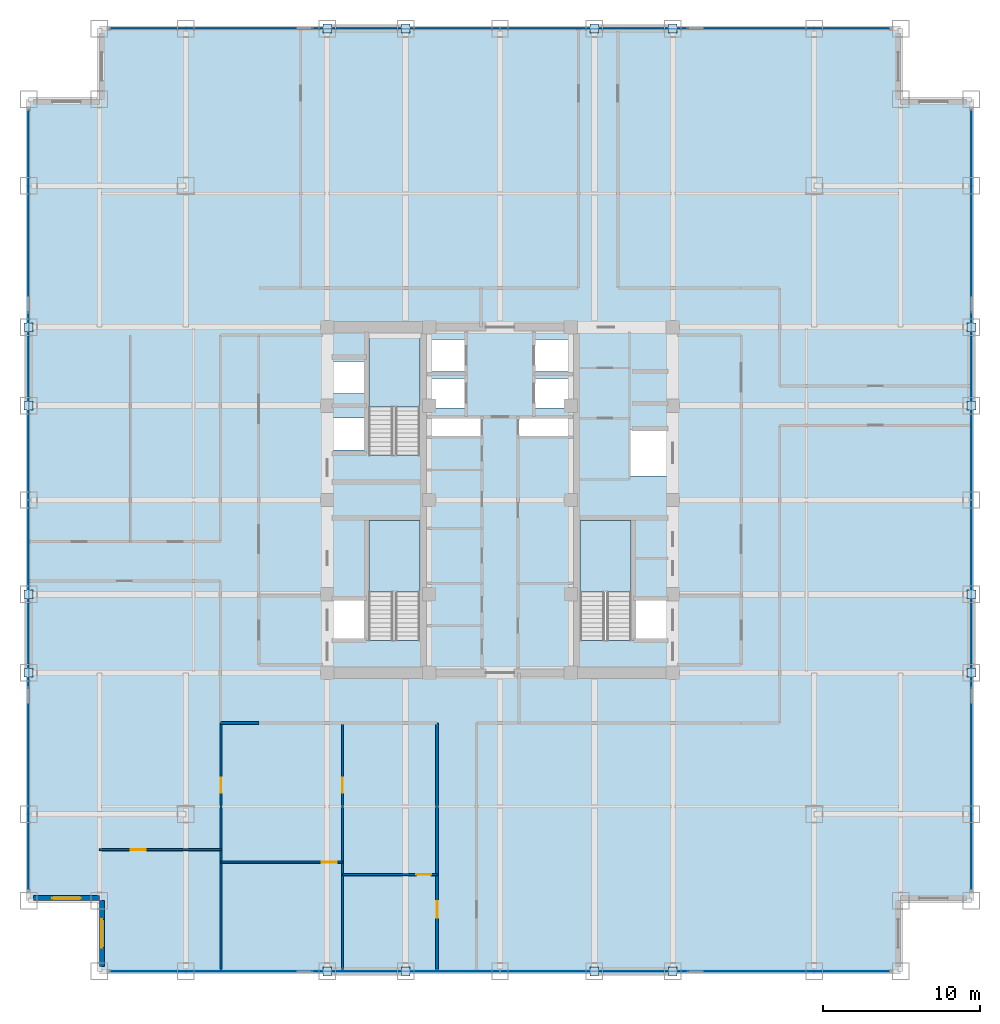
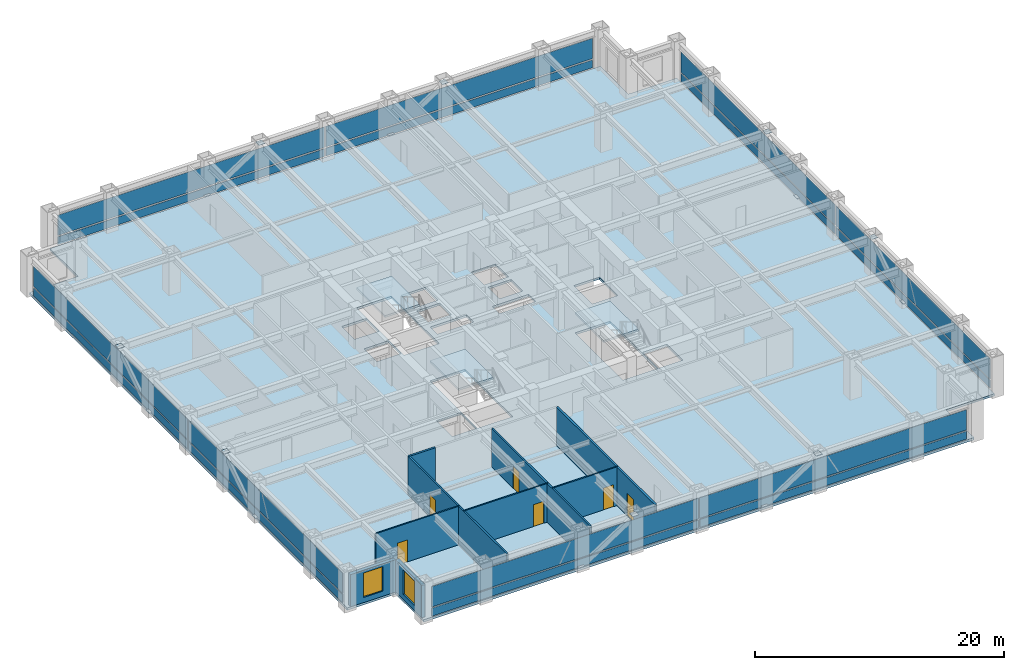
# One storey, part 19 of 24: 32 plates, 9 walls, 6 doors, 4 slabs, 2 windows, 8 openings, 7 elements without a shape of their own.
"""IFC4 building model written with IfcOpenShell, lengths in metres."""

from ifc_helpers import new_model, si_unit, direction, frame, frame_2d, origin, origin_2d, place, context, subcontext, project, spatial, polyline, rectangle, outline, extrude, source, transform, mapped, material, layer, layer_set, type_object, element, fill, aggregate, save


model = new_model("IFC4")

# Units and contexts
model_context = context("Model", 3, precision=1e-05, world=origin(), true_north=direction((0.0, 1.0)))
body_context = subcontext(model_context, "Body", "Model", "MODEL_VIEW")
ifc_project = project(units=[si_unit("LENGTHUNIT", "METRE"), si_unit("AREAUNIT", "SQUARE_METRE"), si_unit("VOLUMEUNIT", "CUBIC_METRE"), si_unit("PLANEANGLEUNIT", "RADIAN"), si_unit("MASSUNIT", "GRAM", prefix="KILO")], contexts=[model_context])

# Site, building, storey
site_placement = place(None, origin())
site = spatial("IfcSite", under=ifc_project, at=site_placement, CompositionType="ELEMENT")
building_placement = place(site_placement, origin())
building = spatial("IfcBuilding", under=site, at=building_placement, Name="Khorayat Bourse Tower", CompositionType="ELEMENT")
storey_placement = place(building_placement, frame((0.0, 0.0, 179.10009765625)))
storey = spatial("IfcBuildingStorey", under=building, at=storey_placement, Name="L41", CompositionType="ELEMENT", Elevation=179.10009765625)

# Stair, slab
ifc_material_1 = material(Name="Concrete C40/50", Category="concrete")
stair_type = type_object("IfcStairType", Name="STR-CORE-1550", PredefinedType="HALF_TURN_STAIR", material=ifc_material_1)
stair_1_placement = place(storey_placement, origin())
stair_1 = element("IfcStair", 1, at=stair_1_placement, inside=storey, type_object=stair_type, Name="L41 Exit Stair ST-1", PredefinedType="HALF_TURN_STAIR")
ifc_layer_1 = layer(ifc_material_1, 0.199951171875)
ifc_layer_set_1 = layer_set([ifc_layer_1], Name="Concrete C40/50")
slab_type_1 = type_object("IfcSlabType", Name="SLB-LANDING-200", PredefinedType="LANDING", material=ifc_layer_set_1)
slab_1_placement = place(storey_placement, frame((0.0, 0.0, 1.7998046875)))
slab_1 = element("IfcSlab", 2, at=slab_1_placement, type_object=slab_type_1, Name="ST-1 landing 1", PredefinedType="LANDING", context=body_context, shape_type="SweptSolid", body=[
    extrude(outline(polyline([(-5.10009765625, -5.8701171875), (-5.10009765625, -1.300048828125), (-8.35009765625, -1.300048828125), (-8.35009765625, -5.8701171875), (-5.10009765625, -5.8701171875)])), origin(), (0.0, 0.0, 1.0), 0.2001953125),
])
aggregate(stair_1, [slab_1])

stair_2_placement = place(storey_placement, origin())
stair_2 = element("IfcStair", 3, at=stair_2_placement, inside=storey, type_object=stair_type, Name="L41 Exit Stair ST-2", PredefinedType="HALF_TURN_STAIR")
slab_2_placement = place(storey_placement, frame((0.0, 0.0, 1.7998046875)))
slab_2 = element("IfcSlab", 4, at=slab_2_placement, type_object=slab_type_1, Name="ST-2 landing 1", PredefinedType="LANDING", context=body_context, shape_type="SweptSolid", body=[
    extrude(outline(polyline([(-5.10009765625, 5.929931640625), (-5.10009765625, 10.5), (-8.35009765625, 10.5), (-8.35009765625, 5.929931640625), (-5.10009765625, 5.929931640625)])), origin(), (0.0, 0.0, 1.0), 0.2001953125),
])
aggregate(stair_2, [slab_2])

stair_3_placement = place(storey_placement, origin())
stair_3 = element("IfcStair", 5, at=stair_3_placement, inside=storey, type_object=stair_type, Name="L41 Exit Stair ST-3", PredefinedType="HALF_TURN_STAIR")
slab_3_placement = place(storey_placement, frame((0.0, 0.0, 1.7998046875)))
slab_3 = element("IfcSlab", 6, at=slab_3_placement, type_object=slab_type_1, Name="ST-3 landing 1", PredefinedType="LANDING", context=body_context, shape_type="SweptSolid", body=[
    extrude(outline(polyline([(8.35009765625, -5.8701171875), (8.35009765625, -1.300048828125), (5.10009765625, -1.300048828125), (5.10009765625, -5.8701171875), (8.35009765625, -5.8701171875)])), origin(), (0.0, 0.0, 1.0), 0.2001953125),
])
aggregate(stair_3, [slab_3])

# Slab
ifc_layer_2 = layer(ifc_material_1, 0.219970703125)
ifc_layer_set_2 = layer_set([ifc_layer_2], Name="Concrete C40/50")
slab_type_2 = type_object("IfcSlabType", Name="SLB-OFFICE-220", PredefinedType="FLOOR", material=ifc_layer_set_2)
slab_4_placement = place(storey_placement, frame((0.0, 0.0, -0.22021484375)))
element("IfcSlab", 7, at=slab_4_placement, inside=storey, type_object=slab_type_2, Name="L41 Main Floor Slab", PredefinedType="FLOOR", context=body_context, shape_type="SweptSolid", body=[
    extrude(outline(polyline([(-25.5, -30.0), (25.5, -30.0), (25.5, -25.5), (30.0, -25.5), (30.0, 25.5), (25.5, 25.5), (25.5, 30.0), (-25.5, 30.0), (-25.5, 25.5), (-30.0, 25.5), (-30.0, -25.5), (-25.5, -25.5), (-25.5, -30.0)]), holes=[polyline([(-8.35009765625, -8.945068359375), (-5.10009765625, -8.945068359375), (-5.10009765625, -1.300048828125), (-8.35009765625, -1.300048828125), (-8.35009765625, -8.945068359375)]), polyline([(-8.35009765625, 2.85498046875), (-5.10009765625, 2.85498046875), (-5.10009765625, 10.5), (-8.35009765625, 10.5), (-8.35009765625, 2.85498046875)]), polyline([(5.10009765625, -8.945068359375), (8.35009765625, -8.945068359375), (8.35009765625, -1.300048828125), (5.10009765625, -1.300048828125), (5.10009765625, -8.945068359375)]), polyline([(-4.3798828125, 8.169921875), (-2.1201171875, 8.169921875), (-2.1201171875, 10.22998046875), (-4.3798828125, 10.22998046875), (-4.3798828125, 8.169921875)]), polyline([(2.1201171875, 8.169921875), (4.3798828125, 8.169921875), (4.3798828125, 10.22998046875), (2.1201171875, 10.22998046875), (2.1201171875, 8.169921875)]), polyline([(-4.3798828125, 5.8701171875), (-2.219970703125, 5.8701171875), (-2.219970703125, 7.72998046875), (-4.3798828125, 7.72998046875), (-4.3798828125, 5.8701171875)]), polyline([(2.219970703125, 5.8701171875), (4.3798828125, 5.8701171875), (4.3798828125, 7.72998046875), (2.219970703125, 7.72998046875), (2.219970703125, 5.8701171875)]), polyline([(-10.679931640625, 3.169921875), (-8.419921875, 3.169921875), (-8.419921875, 5.22998046875), (-10.679931640625, 5.22998046875), (-10.679931640625, 3.169921875)]), polyline([(-10.679931640625, 6.77001953125), (-8.419921875, 6.77001953125), (-8.419921875, 8.830078125), (-10.679931640625, 8.830078125), (-10.679931640625, 6.77001953125)]), polyline([(-10.679931640625, -8.929931640625), (-8.419921875, -8.929931640625), (-8.419921875, -6.3701171875), (-10.679931640625, -6.3701171875), (-10.679931640625, -8.929931640625)]), polyline([(8.419921875, -8.929931640625), (10.679931640625, -8.929931640625), (10.679931640625, -6.3701171875), (8.419921875, -6.3701171875), (8.419921875, -8.929931640625)]), polyline([(8.320068359375, 1.52001953125), (10.679931640625, 1.52001953125), (10.679931640625, 4.47998046875), (8.320068359375, 4.47998046875), (8.320068359375, 1.52001953125)]), polyline([(-4.56005859375, 4.080078125), (-1.18994140625, 4.080078125), (-1.18994140625, 5.219970703125), (-4.56005859375, 5.219970703125), (-4.56005859375, 4.080078125)]), polyline([(1.18994140625, 4.080078125), (4.56005859375, 4.080078125), (4.56005859375, 5.219970703125), (1.18994140625, 5.219970703125), (1.18994140625, 4.080078125)])]), origin(), (0.0, 0.0, 1.0), 0.22021484375),
])

# Plates
ifc_material_2 = material(Name="Steel EN 10025-2 S355J2", Category="steel")
ifc_layer_3 = layer(ifc_material_2, 0.02490234375)
ifc_layer_set_3 = layer_set([ifc_layer_3], Name="Steel EN 10025-2 S355J2")
plate_type_1 = type_object("IfcPlateType", Name="PLT-ENDCAP-25", PredefinedType="SHEET", material=ifc_layer_set_3)
shared_shape_1 = source(origin(), body_context, "Body", "SweptSolid", [
    extrude(rectangle(XDim=0.56005859375, YDim=0.56005859375, at=origin_2d()), origin(), (0.0, 0.0, 1.0), 0.02490234375),
])
for number, where, z_axis, x_axis, name in (
    (8, (-11.0, -30.0, 0.237548828125), (0.0, 0.0, 1.0), (1.0, 0.0, 0.0), "L41 Perimeter Brace End Plate 001"),
    (9, (-6.0, -30.0, 3.517333984375), (0.0, 0.0, 1.0), (1.0, 0.0, 0.0), "L41 Perimeter Brace End Plate 002"),
    (10, (6.0, -30.0, 0.237548828125), (0.0, 0.0, 1.0), (1.0, 0.0, 0.0), "L41 Perimeter Brace End Plate 003"),
    (11, (11.0, -30.0, 3.517333984375), (0.0, 0.0, 1.0), (1.0, 0.0, 0.0), "L41 Perimeter Brace End Plate 004"),
    (12, (-11.0, 30.0, 0.237548828125), (0.0, 0.0, 1.0), (1.0, 0.0, 0.0), "L41 Perimeter Brace End Plate 005"),
    (13, (-6.0, 30.0, 3.517333984375), (0.0, 0.0, 1.0), (1.0, 0.0, 0.0), "L41 Perimeter Brace End Plate 006"),
    (14, (6.0, 30.0, 0.237548828125), (0.0, 0.0, 1.0), (1.0, 0.0, 0.0), "L41 Perimeter Brace End Plate 007"),
    (15, (11.0, 30.0, 3.517333984375), (0.0, 0.0, 1.0), (1.0, 0.0, 0.0), "L41 Perimeter Brace End Plate 008"),
    (16, (-30.0, -11.0, 0.237548828125), (0.0, 0.0, 1.0), (1.0, 0.0, 0.0), "L41 Perimeter Brace End Plate 009"),
    (17, (-30.0, -6.0, 3.517333984375), (0.0, 0.0, 1.0), (1.0, 0.0, 0.0), "L41 Perimeter Brace End Plate 010"),
    (18, (-30.0, 6.0, 0.237548828125), (0.0, 0.0, 1.0), (1.0, 0.0, 0.0), "L41 Perimeter Brace End Plate 011"),
    (19, (-30.0, 11.0, 3.517333984375), (0.0, 0.0, 1.0), (1.0, 0.0, 0.0), "L41 Perimeter Brace End Plate 012"),
    (20, (30.0, -11.0, 0.237548828125), (0.0, 0.0, 1.0), (1.0, 0.0, 0.0), "L41 Perimeter Brace End Plate 013"),
    (21, (30.0, -6.0, 3.517333984375), (0.0, 0.0, 1.0), (1.0, 0.0, 0.0), "L41 Perimeter Brace End Plate 014"),
    (22, (30.0, 6.0, 0.237548828125), (0.0, 0.0, 1.0), (1.0, 0.0, 0.0), "L41 Perimeter Brace End Plate 015"),
    (23, (30.0, 11.0, 3.517333984375), (0.0, 0.0, 1.0), (1.0, 0.0, 0.0), "L41 Perimeter Brace End Plate 016"),
):
    element("IfcPlate", number, at=place(storey_placement, frame(where, z_axis=z_axis, x_axis=x_axis)), inside=storey, type_object=plate_type_1, Name=name, PredefinedType="SHEET", context=body_context, shape_type="MappedRepresentation", body=[
        mapped(shared_shape_1, transform((0.0, 0.0, 0.0), scale=1.0)),
    ])

# Curtain wall, plates
ifc_material_3 = material(Name="Aluminium EN AW-6063 T6", Category="aluminium")
curtain_wall_type = type_object("IfcCurtainWallType", Name="CW-SYS-03", PredefinedType="NOTDEFINED", material=ifc_material_3)
curtain_wall_1_placement = place(storey_placement, origin())
curtain_wall_1 = element("IfcCurtainWall", 24, at=curtain_wall_1_placement, inside=storey, type_object=curtain_wall_type, Name="L41 Curtain Wall CW-L41-S1", PredefinedType="NOTDEFINED")
ifc_material_4 = material(Name="Honed desert limestone insulated spandrel", Category="masonry")
ifc_layer_4 = layer(ifc_material_4, 0.06494140625)
ifc_layer_set_4 = layer_set([ifc_layer_4], Name="Honed desert limestone insulated spandrel")
plate_type_2 = type_object("IfcPlateType", Name="CWP-SPAND-03", PredefinedType="CURTAIN_PANEL", material=ifc_layer_set_4)
shared_shape_2 = source(origin(), body_context, "Body", "SweptSolid", [
    extrude(rectangle(XDim=24.719970703125, YDim=0.06494140625, at=origin_2d()), origin(), (0.0, 0.0, 1.0), 0.77001953125),
])
plate_1_placement = place(storey_placement, frame((-12.419921875, -30.0, 0.119873046875), z_axis=(0.0, 0.0, 1.0), x_axis=(1.0, 0.0, 0.0)))
plate_1 = element("IfcPlate", 25, at=plate_1_placement, type_object=plate_type_2, Name="CW-L41-S1 Spandrel Panel 1-1", PredefinedType="CURTAIN_PANEL", context=body_context, shape_type="MappedRepresentation", body=[
    mapped(shared_shape_2, transform((0.0, 0.0, 0.0), scale=1.0)),
])
plate_2_placement = place(storey_placement, frame((12.419921875, -30.0, 0.119873046875), z_axis=(0.0, 0.0, 1.0), x_axis=(1.0, 0.0, 0.0)))
plate_2 = element("IfcPlate", 26, at=plate_2_placement, type_object=plate_type_2, Name="CW-L41-S1 Spandrel Panel 2-1", PredefinedType="CURTAIN_PANEL", context=body_context, shape_type="MappedRepresentation", body=[
    mapped(shared_shape_2, transform((0.0, 0.0, 0.0), scale=1.0)),
])

curtain_wall_2_placement = place(storey_placement, origin())
curtain_wall_2 = element("IfcCurtainWall", 27, at=curtain_wall_2_placement, inside=storey, type_object=curtain_wall_type, Name="L41 Curtain Wall CW-L41-N1", PredefinedType="NOTDEFINED")
plate_3_placement = place(storey_placement, frame((-12.419921875, 30.0, 0.119873046875), z_axis=(0.0, 0.0, 1.0), x_axis=(1.0, 0.0, 0.0)))
plate_3 = element("IfcPlate", 28, at=plate_3_placement, type_object=plate_type_2, Name="CW-L41-N1 Spandrel Panel 1-1", PredefinedType="CURTAIN_PANEL", context=body_context, shape_type="MappedRepresentation", body=[
    mapped(shared_shape_2, transform((0.0, 0.0, 0.0), scale=1.0)),
])
plate_4_placement = place(storey_placement, frame((12.419921875, 30.0, 0.119873046875), z_axis=(0.0, 0.0, 1.0), x_axis=(1.0, 0.0, 0.0)))
plate_4 = element("IfcPlate", 29, at=plate_4_placement, type_object=plate_type_2, Name="CW-L41-N1 Spandrel Panel 2-1", PredefinedType="CURTAIN_PANEL", context=body_context, shape_type="MappedRepresentation", body=[
    mapped(shared_shape_2, transform((0.0, 0.0, 0.0), scale=1.0)),
])

curtain_wall_3_placement = place(storey_placement, origin())
curtain_wall_3 = element("IfcCurtainWall", 30, at=curtain_wall_3_placement, inside=storey, type_object=curtain_wall_type, Name="L41 Curtain Wall CW-L41-W1", PredefinedType="NOTDEFINED")
plate_5_placement = place(storey_placement, frame((-30.0, -12.419921875, 0.119873046875), z_axis=(0.0, 0.0, 1.0), x_axis=(0.0, 1.0, 0.0)))
plate_5 = element("IfcPlate", 31, at=plate_5_placement, type_object=plate_type_2, Name="CW-L41-W1 Spandrel Panel 1-1", PredefinedType="CURTAIN_PANEL", context=body_context, shape_type="MappedRepresentation", body=[
    mapped(shared_shape_2, transform((0.0, 0.0, 0.0), scale=1.0)),
])
plate_6_placement = place(storey_placement, frame((-30.0, 12.419921875, 0.119873046875), z_axis=(0.0, 0.0, 1.0), x_axis=(0.0, 1.0, 0.0)))
plate_6 = element("IfcPlate", 32, at=plate_6_placement, type_object=plate_type_2, Name="CW-L41-W1 Spandrel Panel 2-1", PredefinedType="CURTAIN_PANEL", context=body_context, shape_type="MappedRepresentation", body=[
    mapped(shared_shape_2, transform((0.0, 0.0, 0.0), scale=1.0)),
])

curtain_wall_4_placement = place(storey_placement, origin())
curtain_wall_4 = element("IfcCurtainWall", 33, at=curtain_wall_4_placement, inside=storey, type_object=curtain_wall_type, Name="L41 Curtain Wall CW-L41-E1", PredefinedType="NOTDEFINED")
plate_7_placement = place(storey_placement, frame((30.0, -12.419921875, 0.119873046875), z_axis=(0.0, 0.0, 1.0), x_axis=(0.0, 1.0, 0.0)))
plate_7 = element("IfcPlate", 34, at=plate_7_placement, type_object=plate_type_2, Name="CW-L41-E1 Spandrel Panel 1-1", PredefinedType="CURTAIN_PANEL", context=body_context, shape_type="MappedRepresentation", body=[
    mapped(shared_shape_2, transform((0.0, 0.0, 0.0), scale=1.0)),
])
plate_8_placement = place(storey_placement, frame((30.0, 12.419921875, 0.119873046875), z_axis=(0.0, 0.0, 1.0), x_axis=(0.0, 1.0, 0.0)))
plate_8 = element("IfcPlate", 35, at=plate_8_placement, type_object=plate_type_2, Name="CW-L41-E1 Spandrel Panel 2-1", PredefinedType="CURTAIN_PANEL", context=body_context, shape_type="MappedRepresentation", body=[
    mapped(shared_shape_2, transform((0.0, 0.0, 0.0), scale=1.0)),
])

# Plate
ifc_material_5 = material(Name="Low-E solar-control laminated double glazing", Category="glass")
ifc_layer_5 = layer(ifc_material_5, 0.035888671875)
ifc_layer_set_5 = layer_set([ifc_layer_5], Name="Low-E solar-control laminated double glazing")
plate_type_3 = type_object("IfcPlateType", Name="CWP-VIS-01", PredefinedType="CURTAIN_PANEL", material=ifc_layer_set_5)
shared_shape_3 = source(origin(), body_context, "Body", "SweptSolid", [
    extrude(rectangle(XDim=24.719970703125, YDim=0.035888671875, at=origin_2d()), origin(), (0.0, 0.0, 1.0), 2.0),
])
plate_9_placement = place(storey_placement, frame((-12.419921875, -30.0, 1.010009765625), z_axis=(0.0, 0.0, 1.0), x_axis=(1.0, 0.0, 0.0)))
plate_9 = element("IfcPlate", 36, at=plate_9_placement, type_object=plate_type_3, Name="CW-L41-S1 Vision Panel 1-2", PredefinedType="CURTAIN_PANEL", context=body_context, shape_type="MappedRepresentation", body=[
    mapped(shared_shape_3, transform((0.0, 0.0, 0.0), scale=1.0)),
])

plate_10_placement = place(storey_placement, frame((12.419921875, -30.0, 1.010009765625), z_axis=(0.0, 0.0, 1.0), x_axis=(1.0, 0.0, 0.0)))
plate_10 = element("IfcPlate", 37, at=plate_10_placement, type_object=plate_type_3, Name="CW-L41-S1 Vision Panel 2-2", PredefinedType="CURTAIN_PANEL", context=body_context, shape_type="MappedRepresentation", body=[
    mapped(shared_shape_3, transform((0.0, 0.0, 0.0), scale=1.0)),
])

aggregate(curtain_wall_1, [plate_1, plate_9, plate_2, plate_10])

plate_11_placement = place(storey_placement, frame((-12.419921875, 30.0, 1.010009765625), z_axis=(0.0, 0.0, 1.0), x_axis=(1.0, 0.0, 0.0)))
plate_11 = element("IfcPlate", 38, at=plate_11_placement, type_object=plate_type_3, Name="CW-L41-N1 Vision Panel 1-2", PredefinedType="CURTAIN_PANEL", context=body_context, shape_type="MappedRepresentation", body=[
    mapped(shared_shape_3, transform((0.0, 0.0, 0.0), scale=1.0)),
])

plate_12_placement = place(storey_placement, frame((12.419921875, 30.0, 1.010009765625), z_axis=(0.0, 0.0, 1.0), x_axis=(1.0, 0.0, 0.0)))
plate_12 = element("IfcPlate", 39, at=plate_12_placement, type_object=plate_type_3, Name="CW-L41-N1 Vision Panel 2-2", PredefinedType="CURTAIN_PANEL", context=body_context, shape_type="MappedRepresentation", body=[
    mapped(shared_shape_3, transform((0.0, 0.0, 0.0), scale=1.0)),
])

aggregate(curtain_wall_2, [plate_3, plate_11, plate_4, plate_12])

plate_13_placement = place(storey_placement, frame((-30.0, -12.419921875, 1.010009765625), z_axis=(0.0, 0.0, 1.0), x_axis=(0.0, 1.0, 0.0)))
plate_13 = element("IfcPlate", 40, at=plate_13_placement, type_object=plate_type_3, Name="CW-L41-W1 Vision Panel 1-2", PredefinedType="CURTAIN_PANEL", context=body_context, shape_type="MappedRepresentation", body=[
    mapped(shared_shape_3, transform((0.0, 0.0, 0.0), scale=1.0)),
])

plate_14_placement = place(storey_placement, frame((-30.0, 12.419921875, 1.010009765625), z_axis=(0.0, 0.0, 1.0), x_axis=(0.0, 1.0, 0.0)))
plate_14 = element("IfcPlate", 41, at=plate_14_placement, type_object=plate_type_3, Name="CW-L41-W1 Vision Panel 2-2", PredefinedType="CURTAIN_PANEL", context=body_context, shape_type="MappedRepresentation", body=[
    mapped(shared_shape_3, transform((0.0, 0.0, 0.0), scale=1.0)),
])

aggregate(curtain_wall_3, [plate_5, plate_13, plate_6, plate_14])

plate_15_placement = place(storey_placement, frame((30.0, -12.419921875, 1.010009765625), z_axis=(0.0, 0.0, 1.0), x_axis=(0.0, 1.0, 0.0)))
plate_15 = element("IfcPlate", 42, at=plate_15_placement, type_object=plate_type_3, Name="CW-L41-E1 Vision Panel 1-2", PredefinedType="CURTAIN_PANEL", context=body_context, shape_type="MappedRepresentation", body=[
    mapped(shared_shape_3, transform((0.0, 0.0, 0.0), scale=1.0)),
])

plate_16_placement = place(storey_placement, frame((30.0, 12.419921875, 1.010009765625), z_axis=(0.0, 0.0, 1.0), x_axis=(0.0, 1.0, 0.0)))
plate_16 = element("IfcPlate", 43, at=plate_16_placement, type_object=plate_type_3, Name="CW-L41-E1 Vision Panel 2-2", PredefinedType="CURTAIN_PANEL", context=body_context, shape_type="MappedRepresentation", body=[
    mapped(shared_shape_3, transform((0.0, 0.0, 0.0), scale=1.0)),
])

aggregate(curtain_wall_4, [plate_7, plate_15, plate_8, plate_16])

# Wall, opening, window
ifc_material_6 = material(Name="Precast concrete C45/55", Category="concrete")
ifc_layer_6 = layer(ifc_material_6, 0.320068359375)
ifc_layer_set_6 = layer_set([ifc_layer_6], Name="Precast concrete C45/55")
wall_type_1 = type_object("IfcWallType", Name="WAL-EXT-STONE-320", PredefinedType="STANDARD", material=ifc_layer_set_6)
shared_shape_4 = source(origin(), body_context, "Body", "SweptSolid", [
    extrude(rectangle(XDim=4.179931640625, YDim=0.320068359375, at=frame_2d((2.08984375, 0.0))), origin(), (0.0, 0.0, 1.0), 3.163818359375),
])
wall_1_placement = place(storey_placement, frame((-25.5, -25.340087890625, 0.0), z_axis=(0.0, 0.0, 1.0), x_axis=(-1.0, 0.0, 0.0)))
wall_1 = element("IfcWall", 44, at=wall_1_placement, inside=storey, type_object=wall_type_1, Name="L41 Re-Entrant Notch Limestone Wall SW-H", PredefinedType="STANDARD", context=body_context, shape_type="MappedRepresentation", body=[
    mapped(shared_shape_4, transform((0.0, 0.0, 0.0), scale=1.0)),
])
shared_shape_5 = source(origin(), body_context, "Body", "SweptSolid", [
    extrude(rectangle(XDim=1.800048828125, YDim=2.39990234375, at=frame_2d((0.89990234375, 1.199951171875))), frame((0.0, 0.169921875, 0.0), z_axis=(0.0, -1.0, 0.0), x_axis=(1.0, 0.0, 0.0)), (0.0, 0.0, 1.0), 0.340087890625),
])
opening_1_placement = place(wall_1_placement, frame((1.18994140625, 0.0, 0.5)))
opening_1 = element("IfcOpeningElement", 45, at=opening_1_placement, cuts=wall_1, Name="Opening WN-04", PredefinedType="OPENING", context=body_context, shape_type="MappedRepresentation", body=[
    mapped(shared_shape_5, transform((0.0, 0.0, 0.0), scale=1.0)),
])
ifc_material_7 = material(Name="Low-E acoustic laminated double glazing", Category="glass")
window_type = type_object("IfcWindowType", Name="WIN-NOTCH-1800x2400", PartitioningType="SINGLE_PANEL", PredefinedType="WINDOW", material=ifc_material_7)
shared_shape_6 = source(origin(), body_context, "Body", "SweptSolid", [
    extrude(rectangle(XDim=1.800048828125, YDim=2.39990234375, at=frame_2d((0.89990234375, 1.199951171875))), frame((0.0, 0.030029296875, 0.0), z_axis=(0.0, -1.0, 0.0), x_axis=(1.0, 0.0, 0.0)), (0.0, 0.0, 1.0), 0.06005859375),
])
window_1_placement = place(opening_1_placement, origin())
window_1 = element("IfcWindow", 46, at=window_1_placement, inside=storey, type_object=window_type, Name="L41 Facade Window 1", OverallHeight=2.39990234375, OverallWidth=1.800048828125, PartitioningType="SINGLE_PANEL", PredefinedType="WINDOW", context=body_context, shape_type="MappedRepresentation", body=[
    mapped(shared_shape_6, transform((0.0, 0.0, 0.0), scale=1.0)),
])
fill(opening_1, window_1)

wall_2_placement = place(storey_placement, frame((-25.340087890625, -29.679931640625, 0.0), z_axis=(0.0, 0.0, 1.0), x_axis=(0.0, 1.0, 0.0)))
wall_2 = element("IfcWall", 47, at=wall_2_placement, inside=storey, type_object=wall_type_1, Name="L41 Re-Entrant Notch Limestone Wall SW-V", PredefinedType="STANDARD", context=body_context, shape_type="MappedRepresentation", body=[
    mapped(shared_shape_4, transform((0.0, 0.0, 0.0), scale=1.0)),
])
opening_2_placement = place(wall_2_placement, frame((1.18994140625, 0.0, 0.5)))
opening_2 = element("IfcOpeningElement", 48, at=opening_2_placement, cuts=wall_2, Name="Opening WN-04", PredefinedType="OPENING", context=body_context, shape_type="MappedRepresentation", body=[
    mapped(shared_shape_5, transform((0.0, 0.0, 0.0), scale=1.0)),
])
window_2_placement = place(opening_2_placement, origin())
window_2 = element("IfcWindow", 49, at=window_2_placement, inside=storey, type_object=window_type, Name="L41 Facade Window 1", OverallHeight=2.39990234375, OverallWidth=1.800048828125, PartitioningType="SINGLE_PANEL", PredefinedType="WINDOW", context=body_context, shape_type="MappedRepresentation", body=[
    mapped(shared_shape_6, transform((0.0, 0.0, 0.0), scale=1.0)),
])
fill(opening_2, window_2)

# Wall
ifc_material_8 = material(Name="Gypsum plasterboard acoustic stud wall")
ifc_layer_7 = layer(ifc_material_8, 0.179931640625)
ifc_layer_set_7 = layer_set([ifc_layer_7], Name="Gypsum plasterboard acoustic stud wall")
wall_type_2 = type_object("IfcWallType", Name="WAL-PART-CORR-180", PredefinedType="PARTITIONING", material=ifc_layer_set_7)
shared_shape_7 = source(origin(), body_context, "Body", "SweptSolid", [
    extrude(rectangle(XDim=2.449951171875, YDim=0.179931640625, at=frame_2d((1.22509765625, 0.0))), origin(), (0.0, 0.0, 1.0), 3.77978515625),
])
wall_3_placement = place(storey_placement, frame((-17.800048828125, -14.199951171875, 0.0), z_axis=(0.0, 0.0, 1.0), x_axis=(1.0, 0.0, 0.0)))
element("IfcWall", 50, at=wall_3_placement, inside=storey, type_object=wall_type_2, Name="L41 Partition WAL-L41-C2-WS", PredefinedType="PARTITIONING", context=body_context, shape_type="MappedRepresentation", body=[
    mapped(shared_shape_7, transform((0.0, 0.0, 0.0), scale=1.0)),
])

# Wall, opening, door
ifc_material_9 = material(Name="Gypsum plasterboard twin-frame partition")
ifc_layer_8 = layer(ifc_material_9, 0.14990234375)
ifc_layer_set_8 = layer_set([ifc_layer_8], Name="Gypsum plasterboard twin-frame partition")
wall_type_3 = type_object("IfcWallType", Name="WAL-PART-SUITE-150", PredefinedType="PARTITIONING", material=ifc_layer_set_8)
shared_shape_8 = source(origin(), body_context, "Body", "SweptSolid", [
    extrude(rectangle(XDim=15.800048828125, YDim=0.14990234375, at=frame_2d((7.89990234375, 0.0))), origin(), (0.0, 0.0, 1.0), 3.77978515625),
])
wall_4_placement = place(storey_placement, frame((-17.760009765625, -30.0, 0.0), z_axis=(0.0, 0.0, 1.0), x_axis=(0.0, 1.0, 0.0)))
wall_4 = element("IfcWall", 51, at=wall_4_placement, inside=storey, type_object=wall_type_3, Name="L41 Partition WAL-L41-QSWDV-1", PredefinedType="PARTITIONING", context=body_context, shape_type="MappedRepresentation", body=[
    mapped(shared_shape_8, transform((0.0, 0.0, 0.0), scale=1.0)),
])
shared_shape_9 = source(origin(), body_context, "Body", "SweptSolid", [
    extrude(rectangle(XDim=0.949951171875, YDim=2.14990234375, at=frame_2d((0.47509765625, 1.074951171875))), frame((0.0, 0.0849609375, 0.0), z_axis=(0.0, -1.0, 0.0), x_axis=(1.0, 0.0, 0.0)), (0.0, 0.0, 1.0), 0.169921875),
])
opening_3_placement = place(wall_4_placement, frame((11.375, 0.0, 0.0)))
opening_3 = element("IfcOpeningElement", 52, at=opening_3_placement, cuts=wall_4, Name="Opening DI-05", PredefinedType="OPENING", context=body_context, shape_type="MappedRepresentation", body=[
    mapped(shared_shape_9, transform((0.0, 0.0, 0.0), scale=1.0)),
])
ifc_material_10 = material(Name="Acoustic oak veneer office door")
door_type_1 = type_object("IfcDoorType", Name="DR-INT-OFFICE-950", OperationType="NOTDEFINED", PredefinedType="DOOR", material=ifc_material_10)
shared_shape_10 = source(origin(), body_context, "Body", "SweptSolid", [
    extrude(rectangle(XDim=0.949951171875, YDim=2.14990234375, at=frame_2d((0.47509765625, 1.074951171875))), frame((0.0, 0.02490234375, 0.0), z_axis=(0.0, -1.0, 0.0), x_axis=(1.0, 0.0, 0.0)), (0.0, 0.0, 1.0), 0.050048828125),
])
door_1_placement = place(opening_3_placement, origin())
door_1 = element("IfcDoor", 53, at=door_1_placement, inside=storey, type_object=door_type_1, Name="L41 South-West Suite Link 1", OperationType="SINGLE_SWING_RIGHT", OverallHeight=2.14990234375, OverallWidth=0.949951171875, PredefinedType="DOOR", context=body_context, shape_type="MappedRepresentation", body=[
    mapped(shared_shape_10, transform((0.0, 0.0, 0.0), scale=1.0)),
])
fill(opening_3, door_1)

wall_5_placement = place(storey_placement, frame((-10.02001953125, -30.0, 0.0), z_axis=(0.0, 0.0, 1.0), x_axis=(0.0, 1.0, 0.0)))
wall_5 = element("IfcWall", 54, at=wall_5_placement, inside=storey, type_object=wall_type_3, Name="L41 Partition WAL-L41-QSWDV-2", PredefinedType="PARTITIONING", context=body_context, shape_type="MappedRepresentation", body=[
    mapped(shared_shape_8, transform((0.0, 0.0, 0.0), scale=1.0)),
])
opening_4_placement = place(wall_5_placement, frame((11.375, 0.0, 0.0)))
opening_4 = element("IfcOpeningElement", 55, at=opening_4_placement, cuts=wall_5, Name="Opening DI-05", PredefinedType="OPENING", context=body_context, shape_type="MappedRepresentation", body=[
    mapped(shared_shape_9, transform((0.0, 0.0, 0.0), scale=1.0)),
])
door_2_placement = place(opening_4_placement, origin())
door_2 = element("IfcDoor", 56, at=door_2_placement, inside=storey, type_object=door_type_1, Name="L41 South-West Suite Link 2", OperationType="SINGLE_SWING_LEFT", OverallHeight=2.14990234375, OverallWidth=0.949951171875, PredefinedType="DOOR", context=body_context, shape_type="MappedRepresentation", body=[
    mapped(shared_shape_10, transform((0.0, 0.0, 0.0), scale=1.0)),
])
fill(opening_4, door_2)

shared_shape_11 = source(origin(), body_context, "Body", "SweptSolid", [
    extrude(rectangle(XDim=15.800048828125, YDim=0.179931640625, at=frame_2d((7.89990234375, 0.0))), origin(), (0.0, 0.0, 1.0), 3.77978515625),
])
wall_6_placement = place(storey_placement, frame((-4.0, -30.0, 0.0), z_axis=(0.0, 0.0, 1.0), x_axis=(0.0, 1.0, 0.0)))
wall_6 = element("IfcWall", 57, at=wall_6_placement, inside=storey, type_object=wall_type_2, Name="L41 Partition WAL-L41-QSW-SPK", PredefinedType="PARTITIONING", context=body_context, shape_type="MappedRepresentation", body=[
    mapped(shared_shape_11, transform((0.0, 0.0, 0.0), scale=1.0)),
])
shared_shape_12 = source(origin(), body_context, "Body", "SweptSolid", [
    extrude(rectangle(XDim=1.050048828125, YDim=2.199951171875, at=frame_2d((0.52490234375, 1.10009765625))), frame((0.0, 0.099853515625, 0.0), z_axis=(0.0, -1.0, 0.0), x_axis=(1.0, 0.0, 0.0)), (0.0, 0.0, 1.0), 0.199951171875),
])
opening_5_placement = place(wall_6_placement, frame((3.425048828125, 0.0, 0.0)))
opening_5 = element("IfcOpeningElement", 58, at=opening_5_placement, cuts=wall_6, Name="Opening DI-04", PredefinedType="OPENING", context=body_context, shape_type="MappedRepresentation", body=[
    mapped(shared_shape_12, transform((0.0, 0.0, 0.0), scale=1.0)),
])
ifc_material_11 = material(Name="Fire-rated oak veneer suite entrance door")
door_type_2 = type_object("IfcDoorType", Name="DR-INT-SUITE-1050", OperationType="NOTDEFINED", PredefinedType="DOOR", material=ifc_material_11)
shared_shape_13 = source(origin(), body_context, "Body", "SweptSolid", [
    extrude(rectangle(XDim=1.050048828125, YDim=2.199951171875, at=frame_2d((0.52490234375, 1.10009765625))), frame((0.0, 0.02490234375, 0.0), z_axis=(0.0, -1.0, 0.0), x_axis=(1.0, 0.0, 0.0)), (0.0, 0.0, 1.0), 0.050048828125),
])
door_3_placement = place(opening_5_placement, origin())
door_3 = element("IfcDoor", 59, at=door_3_placement, inside=storey, type_object=door_type_2, Name="L41 South-West Radial Spoke Entry", OperationType="SINGLE_SWING_LEFT", OverallHeight=2.199951171875, OverallWidth=1.050048828125, PredefinedType="DOOR", context=body_context, shape_type="MappedRepresentation", body=[
    mapped(shared_shape_13, transform((0.0, 0.0, 0.0), scale=1.0)),
])
fill(opening_5, door_3)

ifc_material_12 = material(Name="Gypsum plasterboard partition")
ifc_layer_9 = layer(ifc_material_12, 0.125)
ifc_layer_set_9 = layer_set([ifc_layer_9], Name="Gypsum plasterboard partition")
wall_type_4 = type_object("IfcWallType", Name="WAL-PART-ROOM-125", PredefinedType="PARTITIONING", material=ifc_layer_set_9)
shared_shape_14 = source(origin(), body_context, "Body", "SweptSolid", [
    extrude(rectangle(XDim=7.739990234375, YDim=0.125, at=frame_2d((3.8701171875, 0.0))), origin(), (0.0, 0.0, 1.0), 3.77978515625),
])
wall_7_placement = place(storey_placement, frame((-25.5, -22.258056640625, 0.0), z_axis=(0.0, 0.0, 1.0), x_axis=(1.0, 0.0, 0.0)))
wall_7 = element("IfcWall", 60, at=wall_7_placement, inside=storey, type_object=wall_type_4, Name="L41 Partition WAL-L41-QSWDP-1", PredefinedType="PARTITIONING", context=body_context, shape_type="MappedRepresentation", body=[
    mapped(shared_shape_14, transform((0.0, 0.0, 0.0), scale=1.0)),
])
shared_shape_15 = source(origin(), body_context, "Body", "SweptSolid", [
    extrude(rectangle(XDim=0.949951171875, YDim=2.14990234375, at=frame_2d((0.47509765625, 1.074951171875))), frame((0.0, 0.072509765625, 0.0), z_axis=(0.0, -1.0, 0.0), x_axis=(1.0, 0.0, 0.0)), (0.0, 0.0, 1.0), 0.14501953125),
])
opening_6_placement = place(wall_7_placement, frame((2.001708984375, 0.0, 0.0)))
opening_6 = element("IfcOpeningElement", 61, at=opening_6_placement, cuts=wall_7, Name="Opening DI-05", PredefinedType="OPENING", context=body_context, shape_type="MappedRepresentation", body=[
    mapped(shared_shape_15, transform((0.0, 0.0, 0.0), scale=1.0)),
])
door_4_placement = place(opening_6_placement, origin())
door_4 = element("IfcDoor", 62, at=door_4_placement, inside=storey, type_object=door_type_1, Name="L41 South-West Market Committee Conference Room 1B Door", OperationType="SINGLE_SWING_RIGHT", OverallHeight=2.14990234375, OverallWidth=0.949951171875, PredefinedType="DOOR", context=body_context, shape_type="MappedRepresentation", body=[
    mapped(shared_shape_10, transform((0.0, 0.0, 0.0), scale=1.0)),
])
fill(opening_6, door_4)

wall_8_placement = place(storey_placement, frame((-17.760009765625, -23.048095703125, 0.0), z_axis=(0.0, 0.0, 1.0), x_axis=(1.0, 0.0, 0.0)))
wall_8 = element("IfcWall", 63, at=wall_8_placement, inside=storey, type_object=wall_type_4, Name="L41 Partition WAL-L41-QSWDP-2", PredefinedType="PARTITIONING", context=body_context, shape_type="MappedRepresentation", body=[
    mapped(shared_shape_14, transform((0.0, 0.0, 0.0), scale=1.0)),
])
opening_7_placement = place(wall_8_placement, frame((6.4150390625, 0.0, 0.0)))
opening_7 = element("IfcOpeningElement", 64, at=opening_7_placement, cuts=wall_8, Name="Opening DI-05", PredefinedType="OPENING", context=body_context, shape_type="MappedRepresentation", body=[
    mapped(shared_shape_15, transform((0.0, 0.0, 0.0), scale=1.0)),
])
door_5_placement = place(opening_7_placement, origin())
door_5 = element("IfcDoor", 65, at=door_5_placement, inside=storey, type_object=door_type_1, Name="L41 South-West Brokerage Seminar Room 2B Door", OperationType="SINGLE_SWING_LEFT", OverallHeight=2.14990234375, OverallWidth=0.949951171875, PredefinedType="DOOR", context=body_context, shape_type="MappedRepresentation", body=[
    mapped(shared_shape_10, transform((0.0, 0.0, 0.0), scale=1.0)),
])
fill(opening_7, door_5)

shared_shape_16 = source(origin(), body_context, "Body", "SweptSolid", [
    extrude(rectangle(XDim=6.02001953125, YDim=0.125, at=frame_2d((3.010009765625, 0.0))), origin(), (0.0, 0.0, 1.0), 3.77978515625),
])
wall_9_placement = place(storey_placement, frame((-10.02001953125, -23.837890625, 0.0), z_axis=(0.0, 0.0, 1.0), x_axis=(1.0, 0.0, 0.0)))
wall_9 = element("IfcWall", 66, at=wall_9_placement, inside=storey, type_object=wall_type_4, Name="L41 Partition WAL-L41-QSWDP-3", PredefinedType="PARTITIONING", context=body_context, shape_type="MappedRepresentation", body=[
    mapped(shared_shape_16, transform((0.0, 0.0, 0.0), scale=1.0)),
])
opening_8_placement = place(wall_9_placement, frame((4.695068359375, 0.0, 0.0)))
opening_8 = element("IfcOpeningElement", 67, at=opening_8_placement, cuts=wall_9, Name="Opening DI-05", PredefinedType="OPENING", context=body_context, shape_type="MappedRepresentation", body=[
    mapped(shared_shape_15, transform((0.0, 0.0, 0.0), scale=1.0)),
])
door_6_placement = place(opening_8_placement, origin())
door_6 = element("IfcDoor", 68, at=door_6_placement, inside=storey, type_object=door_type_1, Name="L41 South-West Members Exchange Lounge 3B Door", OperationType="SINGLE_SWING_RIGHT", OverallHeight=2.14990234375, OverallWidth=0.949951171875, PredefinedType="DOOR", context=body_context, shape_type="MappedRepresentation", body=[
    mapped(shared_shape_10, transform((0.0, 0.0, 0.0), scale=1.0)),
])
fill(opening_8, door_6)

save(model, "model.ifc")
